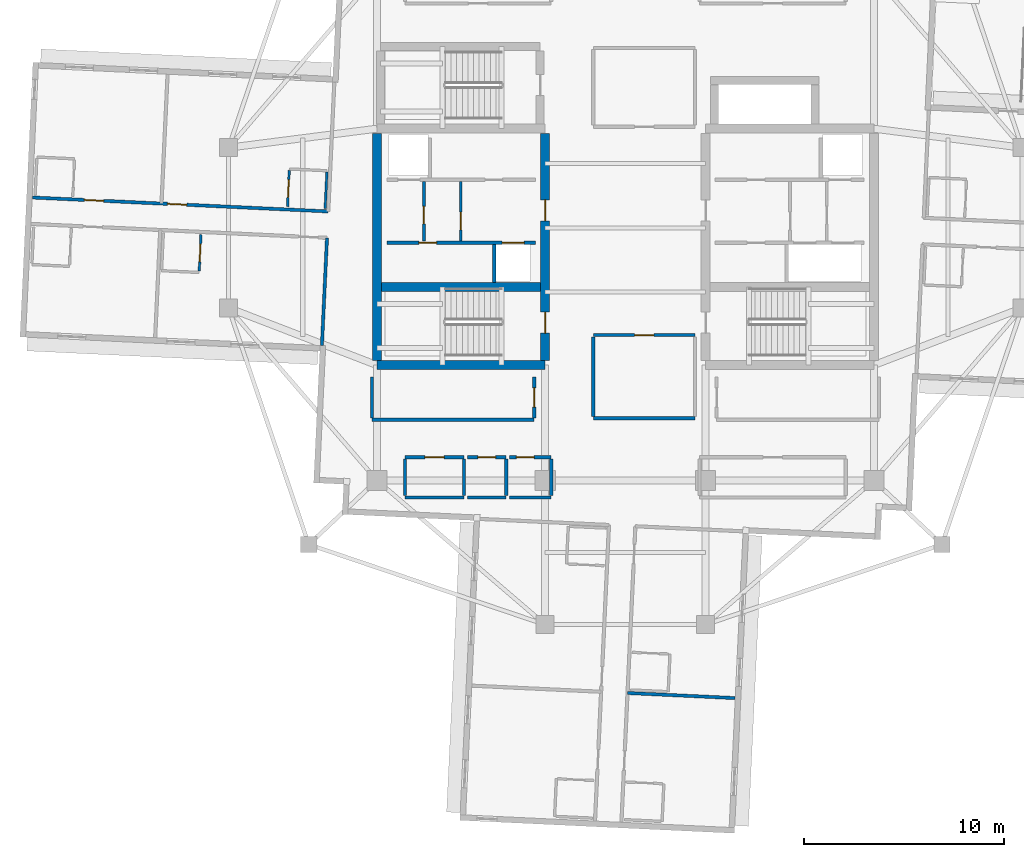
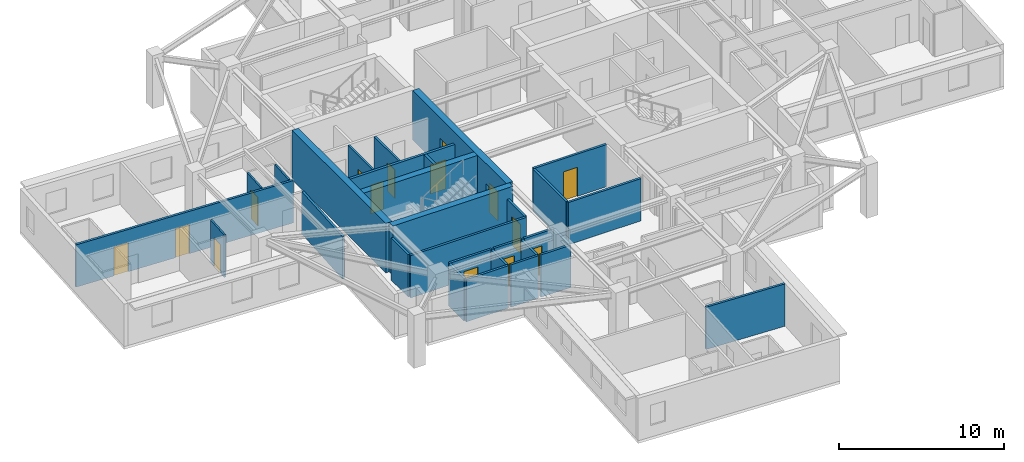
# One storey, part 4 of 13: 30 walls, 15 doors, 15 openings.
"""IFC4 building model written with IfcOpenShell, lengths in metres."""

from ifc_helpers import new_model, si_unit, direction, frame, frame_2d, origin, place, context, subcontext, project, spatial, rectangle, extrude, material, layer, layer_set, type_object, element, fill, save


model = new_model("IFC4")

# Units and contexts
model_context = context("Model", 3, precision=1e-05, world=origin(), true_north=direction((0.0, 1.0)))
body_context = subcontext(model_context, "Body", "Model", "MODEL_VIEW")
ifc_project = project(units=[si_unit("LENGTHUNIT", "METRE"), si_unit("AREAUNIT", "SQUARE_METRE"), si_unit("VOLUMEUNIT", "CUBIC_METRE"), si_unit("PLANEANGLEUNIT", "RADIAN"), si_unit("MASSUNIT", "GRAM", prefix="KILO")], contexts=[model_context])

# Site, building, storey
site_placement = place(None, origin())
site = spatial("IfcSite", under=ifc_project, at=site_placement, CompositionType="ELEMENT")
building_placement = place(site_placement, origin())
building = spatial("IfcBuilding", under=site, at=building_placement, Name="Qingluan Cross Belvedere", CompositionType="ELEMENT")
storey_placement = place(building_placement, frame((0.0, 0.0, 236.39990234375)))
storey = spatial("IfcBuildingStorey", under=building, at=storey_placement, Name="L59", CompositionType="ELEMENT", Elevation=236.39990234375)

# Walls
ifc_material_1 = material(Name="Concrete C50", Category="concrete")
ifc_layer_1 = layer(ifc_material_1, 0.449951171875, Name="CoreShearWall_450")
ifc_layer_set_1 = layer_set([ifc_layer_1], Name="Concrete C50")
wall_type_1 = type_object("IfcWallType", Name="CoreShearWall_450", PredefinedType="SHEAR", material=ifc_layer_set_1)
wall_1_placement = place(storey_placement, frame((-12.39990234375, -6.85009765625, 0.0), z_axis=(0.0, 0.0, 1.0), x_axis=(1.0, 0.0, 0.0)))
element("IfcWall", 1, at=wall_1_placement, inside=storey, type_object=wall_type_1, Name="Split core W shear wall L59-S", PredefinedType="SHEAR", context=body_context, shape_type="SweptSolid", body=[
    extrude(rectangle(XDim=8.39990234375, YDim=0.449951171875, at=frame_2d((4.199951171875, 0.0))), origin(), (0.0, 0.0, 1.0), 3.650146484375),
])
wall_2_placement = place(storey_placement, frame((-12.39990234375, -6.6201171875, 0.0), z_axis=(0.0, 0.0, 1.0), x_axis=(0.0, 1.0, 0.0)))
element("IfcWall", 2, at=wall_2_placement, inside=storey, type_object=wall_type_1, Name="Split core W shear wall L59-W", PredefinedType="SHEAR", context=body_context, shape_type="SweptSolid", body=[
    extrude(rectangle(XDim=11.340087890625, YDim=0.449951171875, at=frame_2d((5.669921875, 0.0))), origin(), (0.0, 0.0, 1.0), 3.650146484375),
])

# Wall, openings, doors
wall_3_placement = place(storey_placement, frame((-4.0, -6.6201171875, 0.0), z_axis=(0.0, 0.0, 1.0), x_axis=(0.0, 1.0, 0.0)))
wall_3 = element("IfcWall", 3, at=wall_3_placement, inside=storey, type_object=wall_type_1, Name="Split core W shear wall L59-E", PredefinedType="SHEAR", context=body_context, shape_type="SweptSolid", body=[
    extrude(rectangle(XDim=11.340087890625, YDim=0.449951171875, at=frame_2d((5.669921875, 0.0))), origin(), (0.0, 0.0, 1.0), 3.650146484375),
])
opening_1_placement = place(wall_3_placement, frame((1.3701171875, 0.0, 0.0)))
opening_1 = element("IfcOpeningElement", 4, at=opening_1_placement, cuts=wall_3, Name="Opening FD-B11", PredefinedType="OPENING", context=body_context, shape_type="SweptSolid", body=[
    extrude(rectangle(XDim=1.050048828125, YDim=2.14990234375, at=frame_2d((0.52490234375, 1.074951171875))), frame((0.0, 0.23486328125, 0.0), z_axis=(0.0, -1.0, 0.0), x_axis=(1.0, 0.0, 0.0)), (0.0, 0.0, 1.0), 0.469970703125),
])
opening_2_placement = place(wall_3_placement, frame((6.969970703125, 0.0, 0.0)))
opening_2 = element("IfcOpeningElement", 5, at=opening_2_placement, cuts=wall_3, Name="Opening FD-B11", PredefinedType="OPENING", context=body_context, shape_type="SweptSolid", body=[
    extrude(rectangle(XDim=1.050048828125, YDim=2.14990234375, at=frame_2d((0.52490234375, 1.074951171875))), frame((0.0, 0.23486328125, 0.0), z_axis=(0.0, -1.0, 0.0), x_axis=(1.0, 0.0, 0.0)), (0.0, 0.0, 1.0), 0.469970703125),
])
ifc_material_2 = material(Name="Steel Class B smoke-seal fire door", Category="steel")
door_type_1 = type_object("IfcDoorType", Name="StairLobbyFireDoor_FDB", OperationType="NOTDEFINED", PredefinedType="DOOR", material=ifc_material_2)
door_1_placement = place(opening_1_placement, origin())
door_1 = element("IfcDoor", 6, at=door_1_placement, inside=storey, type_object=door_type_1, Name="Smoke-proof stair ST1 fire door L59", OperationType="SINGLE_SWING_LEFT", OverallHeight=2.14990234375, OverallWidth=1.050048828125, PredefinedType="DOOR", context=body_context, shape_type="SweptSolid", body=[
    extrude(rectangle(XDim=1.050048828125, YDim=2.14990234375, at=frame_2d((0.52490234375, 1.074951171875))), frame((0.0, 0.02490234375, 0.0), z_axis=(0.0, -1.0, 0.0), x_axis=(1.0, 0.0, 0.0)), (0.0, 0.0, 1.0), 0.050048828125),
])
fill(opening_1, door_1)
door_2_placement = place(opening_2_placement, origin())
door_2 = element("IfcDoor", 7, at=door_2_placement, inside=storey, type_object=door_type_1, Name="Firefighting lobby West fire door L59", OperationType="SINGLE_SWING_LEFT", OverallHeight=2.14990234375, OverallWidth=1.050048828125, PredefinedType="DOOR", context=body_context, shape_type="SweptSolid", body=[
    extrude(rectangle(XDim=1.050048828125, YDim=2.14990234375, at=frame_2d((0.52490234375, 1.074951171875))), frame((0.0, 0.02490234375, 0.0), z_axis=(0.0, -1.0, 0.0), x_axis=(1.0, 0.0, 0.0)), (0.0, 0.0, 1.0), 0.050048828125),
])
fill(opening_2, door_2)

# Wall
wall_4_placement = place(storey_placement, frame((-12.169921875, -2.9599609375, 0.0), z_axis=(0.0, 0.0, 1.0), x_axis=(1.0, 0.0, 0.0)))
element("IfcWall", 8, at=wall_4_placement, inside=storey, type_object=wall_type_1, Name="Split core W shear wall L59-M", PredefinedType="SHEAR", context=body_context, shape_type="SweptSolid", body=[
    extrude(rectangle(XDim=7.93994140625, YDim=0.449951171875, at=frame_2d((3.969970703125, 0.0))), origin(), (0.0, 0.0, 1.0), 3.650146484375),
])

# Wall, opening, door
ifc_material_3 = material(Name="Gypsum plasterboard on steel stud acoustic partition", Category="steel")
ifc_layer_2 = layer(ifc_material_3, 0.159912109375, Name="CorridorPartition_160")
ifc_layer_set_2 = layer_set([ifc_layer_2], Name="Gypsum plasterboard on steel stud acoustic partition")
wall_type_2 = type_object("IfcWallType", Name="CorridorPartition_160", PredefinedType="PARTITIONING", material=ifc_layer_set_2)
wall_5_placement = place(storey_placement, frame((-10.050048828125, -0.652099609375, 0.0), z_axis=(0.0, 0.0, 1.0), x_axis=(0.0, 1.0, 0.0)))
wall_5 = element("IfcWall", 9, at=wall_5_placement, inside=storey, type_object=wall_type_2, Name="Partition L59:wv", PredefinedType="PARTITIONING", context=body_context, shape_type="SweptSolid", body=[
    extrude(rectangle(XDim=2.962158203125, YDim=0.139892578125, at=frame_2d((1.48095703125, 0.0))), origin(), (0.0, 0.0, 1.0), 3.1201171875),
])
opening_3_placement = place(wall_5_placement, frame((0.85009765625, 0.0, 0.0)))
opening_3 = element("IfcOpeningElement", 10, at=opening_3_placement, cuts=wall_5, Name="Opening FD-B10", PredefinedType="OPENING", context=body_context, shape_type="SweptSolid", body=[
    extrude(rectangle(XDim=0.8798828125, YDim=2.10009765625, at=frame_2d((0.43994140625, 1.050048828125))), frame((0.0, 0.079833984375, 0.0), z_axis=(0.0, -1.0, 0.0), x_axis=(1.0, 0.0, 0.0)), (0.0, 0.0, 1.0), 0.159912109375),
])
ifc_material_4 = material(Name="Steel Class B service fire door", Category="steel")
door_type_2 = type_object("IfcDoorType", Name="RiserServiceFireDoor_FDB", OperationType="NOTDEFINED", PredefinedType="DOOR", material=ifc_material_4)
door_3_placement = place(opening_3_placement, origin())
door_3 = element("IfcDoor", 11, at=door_3_placement, inside=storey, type_object=door_type_2, Name="Service closet inner door L59", OperationType="SINGLE_SWING_RIGHT", OverallHeight=2.10009765625, OverallWidth=0.8798828125, PredefinedType="DOOR", context=body_context, shape_type="SweptSolid", body=[
    extrude(rectangle(XDim=0.8798828125, YDim=2.10009765625, at=frame_2d((0.43994140625, 1.050048828125))), frame((0.0, 0.02490234375, 0.0), z_axis=(0.0, -1.0, 0.0), x_axis=(1.0, 0.0, 0.0)), (0.0, 0.0, 1.0), 0.050048828125),
])
fill(opening_3, door_3)

# Wall
wall_6_placement = place(storey_placement, frame((-11.0, -13.449951171875, 0.0), z_axis=(0.0, 0.0, 1.0), x_axis=(1.0, 0.0, 0.0)))
element("IfcWall", 12, at=wall_6_placement, inside=storey, type_object=wall_type_2, Name="Partition L59:q_sw_occ:S", PredefinedType="PARTITIONING", context=body_context, shape_type="SweptSolid", body=[
    extrude(rectangle(XDim=2.949951171875, YDim=0.159912109375, at=frame_2d((1.47509765625, 0.0))), origin(), (0.0, 0.0, 1.0), 3.1201171875),
])

# Wall, opening, door
wall_7_placement = place(storey_placement, frame((-11.0, -11.449951171875, 0.0), z_axis=(0.0, 0.0, 1.0), x_axis=(1.0, 0.0, 0.0)))
wall_7 = element("IfcWall", 13, at=wall_7_placement, inside=storey, type_object=wall_type_2, Name="Partition L59:q_sw_occ:N", PredefinedType="PARTITIONING", context=body_context, shape_type="SweptSolid", body=[
    extrude(rectangle(XDim=2.949951171875, YDim=0.159912109375, at=frame_2d((1.47509765625, 0.0))), origin(), (0.0, 0.0, 1.0), 3.1201171875),
])
opening_4_placement = place(wall_7_placement, frame((0.9951171875, 0.0, 0.0)))
opening_4 = element("IfcOpeningElement", 14, at=opening_4_placement, cuts=wall_7, Name="Opening GD-10", PredefinedType="OPENING", context=body_context, shape_type="SweptSolid", body=[
    extrude(rectangle(XDim=0.9599609375, YDim=2.14990234375, at=frame_2d((0.47998046875, 1.074951171875))), frame((0.0, 0.08984375, 0.0), z_axis=(0.0, -1.0, 0.0), x_axis=(1.0, 0.0, 0.0)), (0.0, 0.0, 1.0), 0.179931640625),
])
ifc_material_5 = material(Name="Timber oak fire-rated acoustic guestroom door", Category="wood")
door_type_3 = type_object("IfcDoorType", Name="GuestEntryDoor_FD60", OperationType="NOTDEFINED", PredefinedType="DOOR", material=ifc_material_5)
door_4_placement = place(opening_4_placement, origin())
door_4 = element("IfcDoor", 15, at=door_4_placement, inside=storey, type_object=door_type_3, Name="Rare book study L59 door", OperationType="SINGLE_SWING_LEFT", OverallHeight=2.14990234375, OverallWidth=0.9599609375, PredefinedType="DOOR", context=body_context, shape_type="SweptSolid", body=[
    extrude(rectangle(XDim=0.9599609375, YDim=2.14990234375, at=frame_2d((0.47998046875, 1.074951171875))), frame((0.0, 0.02490234375, 0.0), z_axis=(0.0, -1.0, 0.0), x_axis=(1.0, 0.0, 0.0)), (0.0, 0.0, 1.0), 0.050048828125),
])
fill(opening_4, door_4)

# Walls
for number, where, z_axis, x_axis, name in (
    (16, (-11.0, -13.364990234375, 0.0), (0.0, 0.0, 1.0), (0.0, 1.0, 0.0), "Partition L59:q_sw_occ:W"),
    (17, (-8.050048828125, -13.364990234375, 0.0), (0.0, 0.0, 1.0), (0.0, 1.0, 0.0), "Partition L59:q_sw_occ:E"),
):
    element("IfcWall", number, at=place(storey_placement, frame(where, z_axis=z_axis, x_axis=x_axis)), inside=storey, type_object=wall_type_2, Name=name, PredefinedType="PARTITIONING", context=body_context, shape_type="SweptSolid", body=[
        extrude(rectangle(XDim=1.830078125, YDim=0.159912109375, at=frame_2d((0.9150390625, 0.0))), origin(), (0.0, 0.0, 1.0), 3.1201171875),
    ])
wall_8_placement = place(storey_placement, frame((-7.889892578125, -13.449951171875, 0.0), z_axis=(0.0, 0.0, 1.0), x_axis=(1.0, 0.0, 0.0)))
element("IfcWall", 18, at=wall_8_placement, inside=storey, type_object=wall_type_2, Name="Partition L59:hk_linen:S", PredefinedType="PARTITIONING", context=body_context, shape_type="SweptSolid", body=[
    extrude(rectangle(XDim=1.93994140625, YDim=0.159912109375, at=frame_2d((0.969970703125, 0.0))), origin(), (0.0, 0.0, 1.0), 3.1201171875),
])

# Wall, opening, door
wall_9_placement = place(storey_placement, frame((-7.889892578125, -11.449951171875, 0.0), z_axis=(0.0, 0.0, 1.0), x_axis=(1.0, 0.0, 0.0)))
wall_9 = element("IfcWall", 19, at=wall_9_placement, inside=storey, type_object=wall_type_2, Name="Partition L59:hk_linen:N", PredefinedType="PARTITIONING", context=body_context, shape_type="SweptSolid", body=[
    extrude(rectangle(XDim=1.93994140625, YDim=0.159912109375, at=frame_2d((0.969970703125, 0.0))), origin(), (0.0, 0.0, 1.0), 3.1201171875),
])
opening_5_placement = place(wall_9_placement, frame((0.530029296875, 0.0, 0.0)))
opening_5 = element("IfcOpeningElement", 20, at=opening_5_placement, cuts=wall_9, Name="Opening FD-B10", PredefinedType="OPENING", context=body_context, shape_type="SweptSolid", body=[
    extrude(rectangle(XDim=0.8798828125, YDim=2.10009765625, at=frame_2d((0.43994140625, 1.050048828125))), frame((0.0, 0.08984375, 0.0), z_axis=(0.0, -1.0, 0.0), x_axis=(1.0, 0.0, 0.0)), (0.0, 0.0, 1.0), 0.179931640625),
])
door_5_placement = place(opening_5_placement, origin())
door_5 = element("IfcDoor", 21, at=door_5_placement, inside=storey, type_object=door_type_2, Name="Housekeeping and linen store L59 door", OperationType="SINGLE_SWING_RIGHT", OverallHeight=2.10009765625, OverallWidth=0.8798828125, PredefinedType="DOOR", context=body_context, shape_type="SweptSolid", body=[
    extrude(rectangle(XDim=0.8798828125, YDim=2.10009765625, at=frame_2d((0.43994140625, 1.050048828125))), frame((0.0, 0.02490234375, 0.0), z_axis=(0.0, -1.0, 0.0), x_axis=(1.0, 0.0, 0.0)), (0.0, 0.0, 1.0), 0.050048828125),
])
fill(opening_5, door_5)

# Walls
wall_10_placement = place(storey_placement, frame((-5.949951171875, -13.364990234375, 0.0), z_axis=(0.0, 0.0, 1.0), x_axis=(0.0, 1.0, 0.0)))
element("IfcWall", 22, at=wall_10_placement, inside=storey, type_object=wall_type_2, Name="Partition L59:hk_linen:E", PredefinedType="PARTITIONING", context=body_context, shape_type="SweptSolid", body=[
    extrude(rectangle(XDim=1.830078125, YDim=0.159912109375, at=frame_2d((0.9150390625, 0.0))), origin(), (0.0, 0.0, 1.0), 3.1201171875),
])
wall_11_placement = place(storey_placement, frame((-5.7900390625, -13.449951171875, 0.0), z_axis=(0.0, 0.0, 1.0), x_axis=(1.0, 0.0, 0.0)))
element("IfcWall", 23, at=wall_11_placement, inside=storey, type_object=wall_type_2, Name="Partition L59:floor_acc_wc:S", PredefinedType="PARTITIONING", context=body_context, shape_type="SweptSolid", body=[
    extrude(rectangle(XDim=2.090087890625, YDim=0.159912109375, at=frame_2d((1.044921875, 0.0))), origin(), (0.0, 0.0, 1.0), 3.1201171875),
])

# Wall, opening, door
wall_12_placement = place(storey_placement, frame((-5.7900390625, -11.449951171875, 0.0), z_axis=(0.0, 0.0, 1.0), x_axis=(1.0, 0.0, 0.0)))
wall_12 = element("IfcWall", 24, at=wall_12_placement, inside=storey, type_object=wall_type_2, Name="Partition L59:floor_acc_wc:N", PredefinedType="PARTITIONING", context=body_context, shape_type="SweptSolid", body=[
    extrude(rectangle(XDim=2.090087890625, YDim=0.159912109375, at=frame_2d((1.044921875, 0.0))), origin(), (0.0, 0.0, 1.0), 3.1201171875),
])
opening_6_placement = place(wall_12_placement, frame((0.35009765625, 0.0, 0.0)))
opening_6 = element("IfcOpeningElement", 25, at=opening_6_placement, cuts=wall_12, Name="Opening BD-08", PredefinedType="OPENING", context=body_context, shape_type="SweptSolid", body=[
    extrude(rectangle(XDim=0.8798828125, YDim=2.14990234375, at=frame_2d((0.43994140625, 1.074951171875))), frame((0.0, 0.08984375, 0.0), z_axis=(0.0, -1.0, 0.0), x_axis=(1.0, 0.0, 0.0)), (0.0, 0.0, 1.0), 0.179931640625),
])
ifc_material_6 = material(Name="Moisture-sealed timber accessible WC door", Category="wood")
door_type_4 = type_object("IfcDoorType", Name="AccessibleWCDoor_880", OperationType="NOTDEFINED", PredefinedType="DOOR", material=ifc_material_6)
door_6_placement = place(opening_6_placement, origin())
door_6 = element("IfcDoor", 26, at=door_6_placement, inside=storey, type_object=door_type_4, Name="Accessible guest washroom L59 door", OperationType="SINGLE_SWING_LEFT", OverallHeight=2.14990234375, OverallWidth=0.8798828125, PredefinedType="DOOR", context=body_context, shape_type="SweptSolid", body=[
    extrude(rectangle(XDim=0.8798828125, YDim=2.14990234375, at=frame_2d((0.43994140625, 1.074951171875))), frame((0.0, 0.02490234375, 0.0), z_axis=(0.0, -1.0, 0.0), x_axis=(1.0, 0.0, 0.0)), (0.0, 0.0, 1.0), 0.050048828125),
])
fill(opening_6, door_6)

# Walls
wall_13_placement = place(storey_placement, frame((-3.699951171875, -13.364990234375, 0.0), z_axis=(0.0, 0.0, 1.0), x_axis=(0.0, 1.0, 0.0)))
element("IfcWall", 27, at=wall_13_placement, inside=storey, type_object=wall_type_2, Name="Partition L59:floor_acc_wc:E", PredefinedType="PARTITIONING", context=body_context, shape_type="SweptSolid", body=[
    extrude(rectangle(XDim=1.830078125, YDim=0.159912109375, at=frame_2d((0.9150390625, 0.0))), origin(), (0.0, 0.0, 1.0), 3.1201171875),
])
wall_14_placement = place(storey_placement, frame((-1.60009765625, -9.5, 0.0), z_axis=(0.0, 0.0, 1.0), x_axis=(1.0, 0.0, 0.0)))
element("IfcWall", 28, at=wall_14_placement, inside=storey, type_object=wall_type_2, Name="Partition L59:sky_south_alcove:S", PredefinedType="PARTITIONING", context=body_context, shape_type="SweptSolid", body=[
    extrude(rectangle(XDim=5.080078125, YDim=0.159912109375, at=frame_2d((2.5400390625, 0.0))), origin(), (0.0, 0.0, 1.0), 3.1201171875),
])

# Wall, opening, door
wall_15_placement = place(storey_placement, frame((-1.60009765625, -5.35009765625, 0.0), z_axis=(0.0, 0.0, 1.0), x_axis=(1.0, 0.0, 0.0)))
wall_15 = element("IfcWall", 29, at=wall_15_placement, inside=storey, type_object=wall_type_2, Name="Partition L59:sky_south_alcove:N", PredefinedType="PARTITIONING", context=body_context, shape_type="SweptSolid", body=[
    extrude(rectangle(XDim=5.080078125, YDim=0.159912109375, at=frame_2d((2.5400390625, 0.0))), origin(), (0.0, 0.0, 1.0), 3.1201171875),
])
opening_7_placement = place(wall_15_placement, frame((2.06005859375, 0.0, 0.0)))
opening_7 = element("IfcOpeningElement", 30, at=opening_7_placement, cuts=wall_15, Name="Opening GD-10", PredefinedType="OPENING", context=body_context, shape_type="SweptSolid", body=[
    extrude(rectangle(XDim=0.9599609375, YDim=2.14990234375, at=frame_2d((0.47998046875, 1.074951171875))), frame((0.0, 0.08984375, 0.0), z_axis=(0.0, -1.0, 0.0), x_axis=(1.0, 0.0, 0.0)), (0.0, 0.0, 1.0), 0.179931640625),
])
door_7_placement = place(opening_7_placement, origin())
door_7 = element("IfcDoor", 31, at=door_7_placement, inside=storey, type_object=door_type_3, Name="South horizon reading alcove L59 door", OperationType="SINGLE_SWING_LEFT", OverallHeight=2.14990234375, OverallWidth=0.9599609375, PredefinedType="DOOR", context=body_context, shape_type="SweptSolid", body=[
    extrude(rectangle(XDim=0.9599609375, YDim=2.14990234375, at=frame_2d((0.47998046875, 1.074951171875))), frame((0.0, 0.02490234375, 0.0), z_axis=(0.0, -1.0, 0.0), x_axis=(1.0, 0.0, 0.0)), (0.0, 0.0, 1.0), 0.050048828125),
])
fill(opening_7, door_7)

# Walls
wall_16_placement = place(storey_placement, frame((-1.60009765625, -9.4150390625, 0.0), z_axis=(0.0, 0.0, 1.0), x_axis=(0.0, 1.0, 0.0)))
element("IfcWall", 32, at=wall_16_placement, inside=storey, type_object=wall_type_2, Name="Partition L59:sky_south_alcove:W", PredefinedType="PARTITIONING", context=body_context, shape_type="SweptSolid", body=[
    extrude(rectangle(XDim=3.97998046875, YDim=0.159912109375, at=frame_2d((1.989990234375, 0.0))), origin(), (0.0, 0.0, 1.0), 3.1201171875),
])
wall_17_placement = place(storey_placement, frame((-12.64990234375, -9.580078125, 0.0), z_axis=(0.0, 0.0, 1.0), x_axis=(1.0, 0.0, 0.0)))
element("IfcWall", 33, at=wall_17_placement, inside=storey, type_object=wall_type_2, Name="Partition L59:rec_st4_w:S", PredefinedType="PARTITIONING", context=body_context, shape_type="SweptSolid", body=[
    extrude(rectangle(XDim=8.099853515625, YDim=0.159912109375, at=frame_2d((4.0498046875, 0.0))), origin(), (0.0, 0.0, 1.0), 3.1201171875),
])
wall_18_placement = place(storey_placement, frame((-12.64990234375, -9.4951171875, 0.0), z_axis=(0.0, 0.0, 1.0), x_axis=(0.0, 1.0, 0.0)))
element("IfcWall", 34, at=wall_18_placement, inside=storey, type_object=wall_type_2, Name="Partition L59:rec_st4_w:W", PredefinedType="PARTITIONING", context=body_context, shape_type="SweptSolid", body=[
    extrude(rectangle(XDim=2.06005859375, YDim=0.159912109375, at=frame_2d((1.030029296875, 0.0))), origin(), (0.0, 0.0, 1.0), 3.1201171875),
])

# Wall, opening, door
wall_19_placement = place(storey_placement, frame((-4.550048828125, -9.4951171875, 0.0), z_axis=(0.0, 0.0, 1.0), x_axis=(0.0, 1.0, 0.0)))
wall_19 = element("IfcWall", 35, at=wall_19_placement, inside=storey, type_object=wall_type_2, Name="Partition L59:rec_st4_w:E", PredefinedType="PARTITIONING", context=body_context, shape_type="SweptSolid", body=[
    extrude(rectangle(XDim=2.06005859375, YDim=0.159912109375, at=frame_2d((1.030029296875, 0.0))), origin(), (0.0, 0.0, 1.0), 3.1201171875),
])
opening_8_placement = place(wall_19_placement, frame((0.550048828125, 0.0, 0.0)))
opening_8 = element("IfcOpeningElement", 36, at=opening_8_placement, cuts=wall_19, Name="Opening GD-10", PredefinedType="OPENING", context=body_context, shape_type="SweptSolid", body=[
    extrude(rectangle(XDim=0.9599609375, YDim=2.14990234375, at=frame_2d((0.47998046875, 1.074951171875))), frame((0.0, 0.08984375, 0.0), z_axis=(0.0, -1.0, 0.0), x_axis=(1.0, 0.0, 0.0)), (0.0, 0.0, 1.0), 0.179931640625),
])
door_8_placement = place(opening_8_placement, origin())
door_8 = element("IfcDoor", 37, at=door_8_placement, inside=storey, type_object=door_type_3, Name="Southwest club reading room L59 door", OperationType="SINGLE_SWING_LEFT", OverallHeight=2.14990234375, OverallWidth=0.9599609375, PredefinedType="DOOR", context=body_context, shape_type="SweptSolid", body=[
    extrude(rectangle(XDim=0.9599609375, YDim=2.14990234375, at=frame_2d((0.47998046875, 1.074951171875))), frame((0.0, 0.02490234375, 0.0), z_axis=(0.0, -1.0, 0.0), x_axis=(1.0, 0.0, 0.0)), (0.0, 0.0, 1.0), 0.050048828125),
])
fill(opening_8, door_8)

# Wall, openings, doors
wall_20_placement = place(storey_placement, frame((-14.827880859375, 0.8193359375, 0.0), z_axis=(0.0, 0.0, 1.0), x_axis=(-0.99889000272, 0.04710374153, 0.0)))
wall_20 = element("IfcWall", 38, at=wall_20_placement, inside=storey, type_object=wall_type_2, Name="Partition L59:W:c0", PredefinedType="PARTITIONING", context=body_context, shape_type="SweptSolid", body=[
    extrude(rectangle(XDim=14.781982421875, YDim=0.159912109375, at=frame_2d((7.39111328125, 0.0))), origin(), (0.0, 0.0, 1.0), 3.1201171875),
])
opening_9_placement = place(wall_20_placement, frame((7.071044921875, 0.0, 0.0)))
opening_9 = element("IfcOpeningElement", 39, at=opening_9_placement, cuts=wall_20, Name="Opening GD-10", PredefinedType="OPENING", context=body_context, shape_type="SweptSolid", body=[
    extrude(rectangle(XDim=0.9599609375, YDim=2.14990234375, at=frame_2d((0.47998046875, 1.074951171875))), frame((0.0, 0.08984375, 0.0), z_axis=(0.0, -1.0, 0.0), x_axis=(1.0, 0.0, 0.0)), (0.0, 0.0, 1.0), 0.179931640625),
])
opening_10_placement = place(wall_20_placement, frame((11.221923828125, 0.0, 0.0)))
opening_10 = element("IfcOpeningElement", 40, at=opening_10_placement, cuts=wall_20, Name="Opening GD-10", PredefinedType="OPENING", context=body_context, shape_type="SweptSolid", body=[
    extrude(rectangle(XDim=0.9599609375, YDim=2.14990234375, at=frame_2d((0.47998046875, 1.074951171875))), frame((0.0, 0.08984375, 0.0), z_axis=(0.0, -1.0, 0.0), x_axis=(1.0, 0.0, 0.0)), (0.0, 0.0, 1.0), 0.179931640625),
])
door_9_placement = place(opening_9_placement, origin())
door_9 = element("IfcDoor", 41, at=door_9_placement, inside=storey, type_object=door_type_3, Name="Guest entry fire door 5905", OperationType="SINGLE_SWING_RIGHT", OverallHeight=2.14990234375, OverallWidth=0.9599609375, PredefinedType="DOOR", context=body_context, shape_type="SweptSolid", body=[
    extrude(rectangle(XDim=0.9599609375, YDim=2.14990234375, at=frame_2d((0.47998046875, 1.074951171875))), frame((0.0, 0.02490234375, 0.0), z_axis=(0.0, -1.0, 0.0), x_axis=(1.0, 0.0, 0.0)), (0.0, 0.0, 1.0), 0.050048828125),
])
fill(opening_9, door_9)
door_10_placement = place(opening_10_placement, origin())
door_10 = element("IfcDoor", 42, at=door_10_placement, inside=storey, type_object=door_type_3, Name="Guest entry fire door 5906", OperationType="SINGLE_SWING_RIGHT", OverallHeight=2.14990234375, OverallWidth=0.9599609375, PredefinedType="DOOR", context=body_context, shape_type="SweptSolid", body=[
    extrude(rectangle(XDim=0.9599609375, YDim=2.14990234375, at=frame_2d((0.47998046875, 1.074951171875))), frame((0.0, 0.02490234375, 0.0), z_axis=(0.0, -1.0, 0.0), x_axis=(1.0, 0.0, 0.0)), (0.0, 0.0, 1.0), 0.050048828125),
])
fill(opening_10, door_10)

# Walls
wall_21_placement = place(storey_placement, frame((-14.889892578125, -0.4990234375, 0.0), z_axis=(0.0, 0.0, 1.0), x_axis=(-0.047126833636, -0.998888913519, 0.0)))
element("IfcWall", 43, at=wall_21_placement, inside=storey, type_object=wall_type_2, Name="Partition L59:W:s1", PredefinedType="PARTITIONING", context=body_context, shape_type="SweptSolid", body=[
    extrude(rectangle(XDim=5.3720703125, YDim=0.159912109375, at=frame_2d((2.68603515625, 0.0))), origin(), (0.0, 0.0, 1.0), 3.1201171875),
])
wall_22_placement = place(storey_placement, frame((0.106689453125, -23.2119140625, 0.0), z_axis=(0.0, 0.0, 1.0), x_axis=(0.998890951066, -0.04708362643, 0.0)))
element("IfcWall", 44, at=wall_22_placement, inside=storey, type_object=wall_type_2, Name="Partition L59:S:d0_0", PredefinedType="PARTITIONING", context=body_context, shape_type="SweptSolid", body=[
    extrude(rectangle(XDim=5.371826171875, YDim=0.159912109375, at=frame_2d((2.68603515625, 0.0))), origin(), (0.0, 0.0, 1.0), 3.1201171875),
])

# Wall, opening, door
ifc_material_7 = material(Name="Moisture-resistant gypsum board lining")
ifc_layer_3 = layer(ifc_material_7, 0.1201171875, Name="EnsuiteWetPartition_120")
ifc_layer_set_3 = layer_set([ifc_layer_3], Name="Moisture-resistant gypsum board lining")
wall_type_3 = type_object("IfcWallType", Name="EnsuiteWetPartition_120", PredefinedType="PARTITIONING", material=ifc_layer_set_3)
wall_23_placement = place(storey_placement, frame((-16.85888671875, 1.055419921875, 0.0), z_axis=(0.0, 0.0, 1.0), x_axis=(0.047087116047, 0.998890786574, 0.0)))
wall_23 = element("IfcWall", 45, at=wall_23_placement, inside=storey, type_object=wall_type_3, Name="Partition L59:W:bs0_0", PredefinedType="PARTITIONING", context=body_context, shape_type="SweptSolid", body=[
    extrude(rectangle(XDim=1.81982421875, YDim=0.1201171875, at=frame_2d((0.909912109375, 0.0))), origin(), (0.0, 0.0, 1.0), 3.1201171875),
])
opening_11_placement = place(wall_23_placement, frame((0.469970703125, 0.0, 0.0)))
opening_11 = element("IfcOpeningElement", 46, at=opening_11_placement, cuts=wall_23, Name="Opening BD-09", PredefinedType="OPENING", context=body_context, shape_type="SweptSolid", body=[
    extrude(rectangle(XDim=0.8798828125, YDim=2.10009765625, at=frame_2d((0.43994140625, 1.050048828125))), frame((0.0, 0.070068359375, 0.0), z_axis=(0.0, -1.0, 0.0), x_axis=(1.0, 0.0, 0.0)), (0.0, 0.0, 1.0), 0.14013671875),
])
ifc_material_8 = material(Name="Moisture-sealed timber en-suite door", Category="wood")
door_type_5 = type_object("IfcDoorType", Name="BathroomDoor_880", OperationType="NOTDEFINED", PredefinedType="DOOR", material=ifc_material_8)
door_11_placement = place(opening_11_placement, origin())
door_11 = element("IfcDoor", 47, at=door_11_placement, inside=storey, type_object=door_type_5, Name="Bathroom door 5905", OperationType="SINGLE_SWING_LEFT", OverallHeight=2.10009765625, OverallWidth=0.8798828125, PredefinedType="DOOR", context=body_context, shape_type="SweptSolid", body=[
    extrude(rectangle(XDim=0.8798828125, YDim=2.10009765625, at=frame_2d((0.43994140625, 1.050048828125))), frame((0.0, 0.02490234375, 0.0), z_axis=(0.0, -1.0, 0.0), x_axis=(1.0, 0.0, 0.0)), (0.0, 0.0, 1.0), 0.050048828125),
])
fill(opening_11, door_11)

# Wall
wall_24_placement = place(storey_placement, frame((-14.981201171875, 0.966796875, 0.0), z_axis=(0.0, 0.0, 1.0), x_axis=(0.047080807099, 0.998891083954, 0.0)))
element("IfcWall", 48, at=wall_24_placement, inside=storey, type_object=wall_type_3, Name="Partition L59:W:bw0_0", PredefinedType="PARTITIONING", context=body_context, shape_type="SweptSolid", body=[
    extrude(rectangle(XDim=1.820068359375, YDim=0.1201171875, at=frame_2d((0.91015625, 0.0))), origin(), (0.0, 0.0, 1.0), 3.1201171875),
])

# Wall, opening, door
wall_25_placement = place(storey_placement, frame((-21.266357421875, -2.16064453125, 0.0), z_axis=(0.0, 0.0, 1.0), x_axis=(0.047080807099, 0.998891083954, 0.0)))
wall_25 = element("IfcWall", 49, at=wall_25_placement, inside=storey, type_object=wall_type_3, Name="Partition L59:W:bs1_0", PredefinedType="PARTITIONING", context=body_context, shape_type="SweptSolid", body=[
    extrude(rectangle(XDim=1.820068359375, YDim=0.1201171875, at=frame_2d((0.91015625, 0.0))), origin(), (0.0, 0.0, 1.0), 3.1201171875),
])
opening_12_placement = place(wall_25_placement, frame((0.469970703125, 0.0, 0.0)))
opening_12 = element("IfcOpeningElement", 50, at=opening_12_placement, cuts=wall_25, Name="Opening BD-09", PredefinedType="OPENING", context=body_context, shape_type="SweptSolid", body=[
    extrude(rectangle(XDim=0.8798828125, YDim=2.10009765625, at=frame_2d((0.43994140625, 1.050048828125))), frame((0.0, 0.070068359375, 0.0), z_axis=(0.0, -1.0, 0.0), x_axis=(1.0, 0.0, 0.0)), (0.0, 0.0, 1.0), 0.14013671875),
])
door_12_placement = place(opening_12_placement, origin())
door_12 = element("IfcDoor", 51, at=door_12_placement, inside=storey, type_object=door_type_5, Name="Bathroom door 5907", OperationType="SINGLE_SWING_LEFT", OverallHeight=2.10009765625, OverallWidth=0.8798828125, PredefinedType="DOOR", context=body_context, shape_type="SweptSolid", body=[
    extrude(rectangle(XDim=0.8798828125, YDim=2.10009765625, at=frame_2d((0.43994140625, 1.050048828125))), frame((0.0, 0.02490234375, 0.0), z_axis=(0.0, -1.0, 0.0), x_axis=(1.0, 0.0, 0.0)), (0.0, 0.0, 1.0), 0.050048828125),
])
fill(opening_12, door_12)

# Wall, openings, doors
ifc_material_9 = material(Name="Concrete C40", Category="concrete")
ifc_layer_4 = layer(ifc_material_9, 0.219970703125, Name="ShaftEnclosureWall_250")
ifc_layer_set_4 = layer_set([ifc_layer_4], Name="Concrete C40")
wall_type_4 = type_object("IfcWallType", Name="ShaftEnclosureWall_250", PredefinedType="SOLIDWALL", material=ifc_layer_set_4)
wall_26_placement = place(storey_placement, frame((-11.89990234375, -0.75, 0.0), z_axis=(0.0, 0.0, 1.0), x_axis=(1.0, 0.0, 0.0)))
wall_26 = element("IfcWall", 52, at=wall_26_placement, inside=storey, type_object=wall_type_4, Name="Core-W mid hoistway wall L59", PredefinedType="SOLIDWALL", context=body_context, shape_type="SweptSolid", body=[
    extrude(rectangle(XDim=7.419921875, YDim=0.179931640625, at=frame_2d((3.7099609375, 0.0))), origin(), (0.0, 0.0, 1.0), 3.1201171875),
])
opening_13_placement = place(wall_26_placement, frame((5.75, 0.0, 0.0)))
opening_13 = element("IfcOpeningElement", 53, at=opening_13_placement, cuts=wall_26, Name="Opening LD-11", PredefinedType="OPENING", context=body_context, shape_type="SweptSolid", body=[
    extrude(rectangle(XDim=1.10009765625, YDim=2.14990234375, at=frame_2d((0.550048828125, 1.074951171875))), frame((0.0, 0.099853515625, 0.0), z_axis=(0.0, -1.0, 0.0), x_axis=(1.0, 0.0, 0.0)), (0.0, 0.0, 1.0), 0.199951171875),
])
opening_14_placement = place(wall_26_placement, frame((1.60009765625, 0.0, 0.0)))
opening_14 = element("IfcOpeningElement", 54, at=opening_14_placement, cuts=wall_26, Name="Opening FD-B10", PredefinedType="OPENING", context=body_context, shape_type="SweptSolid", body=[
    extrude(rectangle(XDim=0.8798828125, YDim=2.10009765625, at=frame_2d((0.43994140625, 1.050048828125))), frame((0.0, 0.099853515625, 0.0), z_axis=(0.0, -1.0, 0.0), x_axis=(1.0, 0.0, 0.0)), (0.0, 0.0, 1.0), 0.199951171875),
])
ifc_material_10 = material(Name="Brushed stainless steel centre-opening lift landing door", Category="steel")
door_type_6 = type_object("IfcDoorType", Name="LiftLandingSlidingDoor_1100", OperationType="DOUBLE_DOOR_SLIDING", PredefinedType="DOOR", material=ifc_material_10)
door_13_placement = place(opening_13_placement, origin())
door_13 = element("IfcDoor", 55, at=door_13_placement, inside=storey, type_object=door_type_6, Name="Lift landing sliding door LP8 L59", OperationType="DOUBLE_DOOR_SLIDING", OverallHeight=2.14990234375, OverallWidth=1.10009765625, PredefinedType="DOOR", context=body_context, shape_type="SweptSolid", body=[
    extrude(rectangle(XDim=1.10009765625, YDim=2.14990234375, at=frame_2d((0.550048828125, 1.074951171875))), frame((0.0, 0.02490234375, 0.0), z_axis=(0.0, -1.0, 0.0), x_axis=(1.0, 0.0, 0.0)), (0.0, 0.0, 1.0), 0.050048828125),
])
fill(opening_13, door_13)
door_14_placement = place(opening_14_placement, origin())
door_14 = element("IfcDoor", 56, at=door_14_placement, inside=storey, type_object=door_type_2, Name="Upper-zone electrical room door L59", OperationType="SINGLE_SWING_RIGHT", OverallHeight=2.10009765625, OverallWidth=0.8798828125, PredefinedType="DOOR", context=body_context, shape_type="SweptSolid", body=[
    extrude(rectangle(XDim=0.8798828125, YDim=2.10009765625, at=frame_2d((0.43994140625, 1.050048828125))), frame((0.0, 0.02490234375, 0.0), z_axis=(0.0, -1.0, 0.0), x_axis=(1.0, 0.0, 0.0)), (0.0, 0.0, 1.0), 0.050048828125),
])
fill(opening_14, door_14)

# Wall
wall_27_placement = place(storey_placement, frame((-6.5400390625, -2.72998046875, 0.0), z_axis=(0.0, 0.0, 1.0), x_axis=(0.0, 1.0, 0.0)))
element("IfcWall", 57, at=wall_27_placement, inside=storey, type_object=wall_type_4, Name="Hoistway enclosure divider LP8W L59", PredefinedType="SOLIDWALL", context=body_context, shape_type="SweptSolid", body=[
    extrude(rectangle(XDim=1.889892578125, YDim=0.179931640625, at=frame_2d((0.94482421875, 0.0))), origin(), (0.0, 0.0, 1.0), 3.1201171875),
])

# Wall, opening, door
wall_28_placement = place(storey_placement, frame((-8.219970703125, -0.64990234375, 0.0), z_axis=(0.0, 0.0, 1.0), x_axis=(0.0, 1.0, 0.0)))
wall_28 = element("IfcWall", 58, at=wall_28_placement, inside=storey, type_object=wall_type_4, Name="Core-W service corridor wall L59", PredefinedType="SOLIDWALL", context=body_context, shape_type="SweptSolid", body=[
    extrude(rectangle(XDim=2.9599609375, YDim=0.139892578125, at=frame_2d((1.47998046875, 0.0))), origin(), (0.0, 0.0, 1.0), 3.1201171875),
])
opening_15_placement = place(wall_28_placement, frame((0.550048828125, 0.0, 0.0)))
opening_15 = element("IfcOpeningElement", 59, at=opening_15_placement, cuts=wall_28, Name="Opening FD-B10", PredefinedType="OPENING", context=body_context, shape_type="SweptSolid", body=[
    extrude(rectangle(XDim=0.8798828125, YDim=2.10009765625, at=frame_2d((0.43994140625, 1.050048828125))), frame((0.0, 0.079833984375, 0.0), z_axis=(0.0, -1.0, 0.0), x_axis=(1.0, 0.0, 0.0)), (0.0, 0.0, 1.0), 0.159912109375),
])
door_15_placement = place(opening_15_placement, origin())
door_15 = element("IfcDoor", 60, at=door_15_placement, inside=storey, type_object=door_type_2, Name="Core-W service room door L59", OperationType="SINGLE_SWING_RIGHT", OverallHeight=2.10009765625, OverallWidth=0.8798828125, PredefinedType="DOOR", context=body_context, shape_type="SweptSolid", body=[
    extrude(rectangle(XDim=0.8798828125, YDim=2.10009765625, at=frame_2d((0.43994140625, 1.050048828125))), frame((0.0, 0.02490234375, 0.0), z_axis=(0.0, -1.0, 0.0), x_axis=(1.0, 0.0, 0.0)), (0.0, 0.0, 1.0), 0.050048828125),
])
fill(opening_15, door_15)

save(model, "model.ifc")
